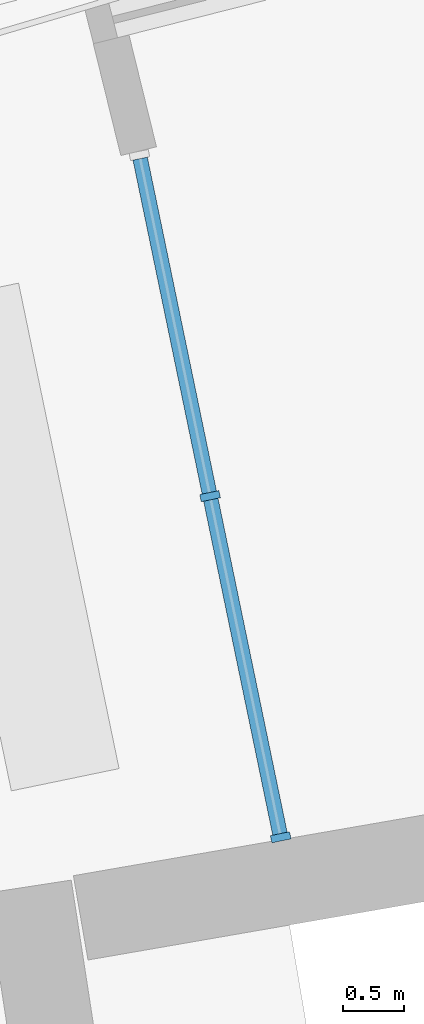
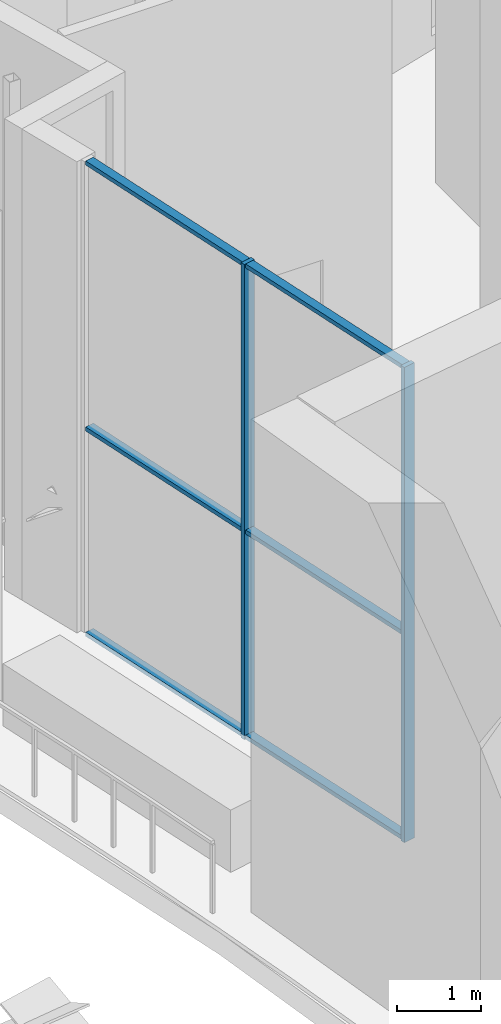
# One storey, part 10 of 26: 8 members, 1 element without a shape of its own.
"""IFC4 building model written with IfcOpenShell, lengths in metres."""

from ifc_helpers import new_model, si_unit, direction, frame, origin, origin_2d, place, context, subcontext, project, spatial, rectangle, extrude, material, layer, layer_set, material_profile, profile_set, type_object, element, aggregate, save


model = new_model("IFC4")

# Units and contexts
model_context = context("Model", 3, precision=1e-05, world=origin(), true_north=direction((0.0, 1.0)))
body_context = subcontext(model_context, "Body", "Model", "MODEL_VIEW")
ifc_project = project(units=[si_unit("LENGTHUNIT", "METRE"), si_unit("AREAUNIT", "SQUARE_METRE"), si_unit("VOLUMEUNIT", "CUBIC_METRE"), si_unit("PLANEANGLEUNIT", "RADIAN"), si_unit("MASSUNIT", "GRAM", prefix="KILO")], contexts=[model_context])

# Site, building, storey
site_placement = place(None, origin())
site = spatial("IfcSite", under=ifc_project, at=site_placement, CompositionType="ELEMENT")
building_placement = place(site_placement, origin())
building = spatial("IfcBuilding", under=site, at=building_placement, Name="Alderwake Tower", CompositionType="ELEMENT")
storey_placement = place(building_placement, frame((0.0, 0.0, 182.0)))
storey = spatial("IfcBuildingStorey", under=building, at=storey_placement, Name="L45", CompositionType="ELEMENT", Elevation=182.0)

# Curtain wall, members
ifc_material_1 = material(Name="Bronze tinted glass in aluminium frame", Category="aluminium")
ifc_layer = layer(ifc_material_1, 0.199951171875)
ifc_layer_set = layer_set([ifc_layer], Name="Curtain wall CW3 sky garden glazing")
curtain_wall_type = type_object("IfcCurtainWallType", Name="Curtain wall CW3 sky garden glazing", PredefinedType="NOTDEFINED", material=ifc_layer_set)
curtain_wall_placement = place(storey_placement, origin())
curtain_wall = element("IfcCurtainWall", 1, at=curtain_wall_placement, inside=storey, type_object=curtain_wall_type, Name="Curtain wall 1", PredefinedType="NOTDEFINED")
ifc_material_2 = material(Name="Aluminium bronze anodised", Category="aluminium")
ifc_material_profile_1 = material_profile(ifc_material_2, rectangle(XDim=0.159912109375, YDim=0.06005859375, at=origin_2d()), Name="Mullion MUC 60x160")
ifc_profile_set_1 = profile_set([ifc_material_profile_1], Name="Aluminium bronze anodised")
member_type_1 = type_object("IfcMemberType", Name="Mullion MUC 60x160", PredefinedType="MULLION", material=ifc_profile_set_1)
member_1_placement = place(storey_placement, frame((16.85302734375, 81.05712890625, 0.0), z_axis=(0.0, 0.0, 1.0), x_axis=(0.979228937828, 0.202757705944, 0.0)))
member_1 = element("IfcMember", 2, at=member_1_placement, type_object=member_type_1, Name="CW.01 mullion 2", PredefinedType="MULLION", context=body_context, shape_type="SweptSolid", body=[
    extrude(rectangle(XDim=0.159912109375, YDim=0.06005859375, at=origin_2d()), origin(), (0.0, 0.0, 1.0), 6.8798828125),
])
member_2_placement = place(storey_placement, frame((17.430908203125, 78.265869140625, 0.0), z_axis=(0.0, 0.0, 1.0), x_axis=(0.979228937828, 0.202757705944, 0.0)))
member_2 = element("IfcMember", 3, at=member_2_placement, type_object=member_type_1, Name="CW.01 mullion 3", PredefinedType="MULLION", context=body_context, shape_type="SweptSolid", body=[
    extrude(rectangle(XDim=0.159912109375, YDim=0.06005859375, at=origin_2d()), origin(), (0.0, 0.0, 1.0), 6.8798828125),
])
ifc_material_3 = material(Name="Aluminium bronze anodised", Category="aluminium")
ifc_material_profile_2 = material_profile(ifc_material_3, rectangle(XDim=0.1201171875, YDim=0.06005859375, at=origin_2d()), Name="Transom TRC 60x120")
ifc_profile_set_2 = profile_set([ifc_material_profile_2], Name="Aluminium bronze anodised")
member_type_2 = type_object("IfcMemberType", Name="Transom TRC 60x120", PredefinedType="USERDEFINED", material=ifc_profile_set_2)
member_3_placement = place(storey_placement, frame((16.281005859375, 83.819091796875, 0.030029296875), z_axis=(0.202808119905, -0.979218497834, 0.0), x_axis=(0.979218497834, 0.202808119905, 0.0)))
member_3 = element("IfcMember", 4, at=member_3_placement, type_object=member_type_2, Name="CW.01 transom 1.1", ObjectType="TRANSOM", PredefinedType="USERDEFINED", context=body_context, shape_type="SweptSolid", body=[
    extrude(rectangle(XDim=0.1201171875, YDim=0.06005859375, at=origin_2d()), origin(), (0.0, 0.0, 1.0), 2.79052734375),
])
member_4_placement = place(storey_placement, frame((16.281005859375, 83.819091796875, 3.0), z_axis=(0.202808119905, -0.979218497834, 0.0), x_axis=(0.979218497834, 0.202808119905, 0.0)))
member_4 = element("IfcMember", 5, at=member_4_placement, type_object=member_type_2, Name="CW.01 transom 1.2", ObjectType="TRANSOM", PredefinedType="USERDEFINED", context=body_context, shape_type="SweptSolid", body=[
    extrude(rectangle(XDim=0.1201171875, YDim=0.06005859375, at=origin_2d()), origin(), (0.0, 0.0, 1.0), 2.79052734375),
])
member_5_placement = place(storey_placement, frame((16.281005859375, 83.819091796875, 6.85009765625), z_axis=(0.202808119905, -0.979218497834, 0.0), x_axis=(0.979218497834, 0.202808119905, 0.0)))
member_5 = element("IfcMember", 6, at=member_5_placement, type_object=member_type_2, Name="CW.01 transom 1.3", ObjectType="TRANSOM", PredefinedType="USERDEFINED", context=body_context, shape_type="SweptSolid", body=[
    extrude(rectangle(XDim=0.1201171875, YDim=0.06005859375, at=origin_2d()), origin(), (0.0, 0.0, 1.0), 2.79052734375),
])
member_6_placement = place(storey_placement, frame((16.859130859375, 81.02783203125, 0.030029296875), z_axis=(0.202706856175, -0.97923946533, 0.0), x_axis=(0.97923946533, 0.202706856175, 0.0)))
member_6 = element("IfcMember", 7, at=member_6_placement, type_object=member_type_2, Name="CW.01 transom 2.1", ObjectType="TRANSOM", PredefinedType="USERDEFINED", context=body_context, shape_type="SweptSolid", body=[
    extrude(rectangle(XDim=0.1201171875, YDim=0.06005859375, at=origin_2d()), origin(), (0.0, 0.0, 1.0), 2.79052734375),
])
member_7_placement = place(storey_placement, frame((16.859130859375, 81.02783203125, 3.0), z_axis=(0.202706856175, -0.97923946533, 0.0), x_axis=(0.97923946533, 0.202706856175, 0.0)))
member_7 = element("IfcMember", 8, at=member_7_placement, type_object=member_type_2, Name="CW.01 transom 2.2", ObjectType="TRANSOM", PredefinedType="USERDEFINED", context=body_context, shape_type="SweptSolid", body=[
    extrude(rectangle(XDim=0.1201171875, YDim=0.06005859375, at=origin_2d()), origin(), (0.0, 0.0, 1.0), 2.79052734375),
])
member_8_placement = place(storey_placement, frame((16.859130859375, 81.02783203125, 6.85009765625), z_axis=(0.202706856175, -0.97923946533, 0.0), x_axis=(0.97923946533, 0.202706856175, 0.0)))
member_8 = element("IfcMember", 9, at=member_8_placement, type_object=member_type_2, Name="CW.01 transom 2.3", ObjectType="TRANSOM", PredefinedType="USERDEFINED", context=body_context, shape_type="SweptSolid", body=[
    extrude(rectangle(XDim=0.1201171875, YDim=0.06005859375, at=origin_2d()), origin(), (0.0, 0.0, 1.0), 2.79052734375),
])
aggregate(curtain_wall, [member_1, member_2, member_3, member_4, member_5, member_6, member_7, member_8])

save(model, "model.ifc")
